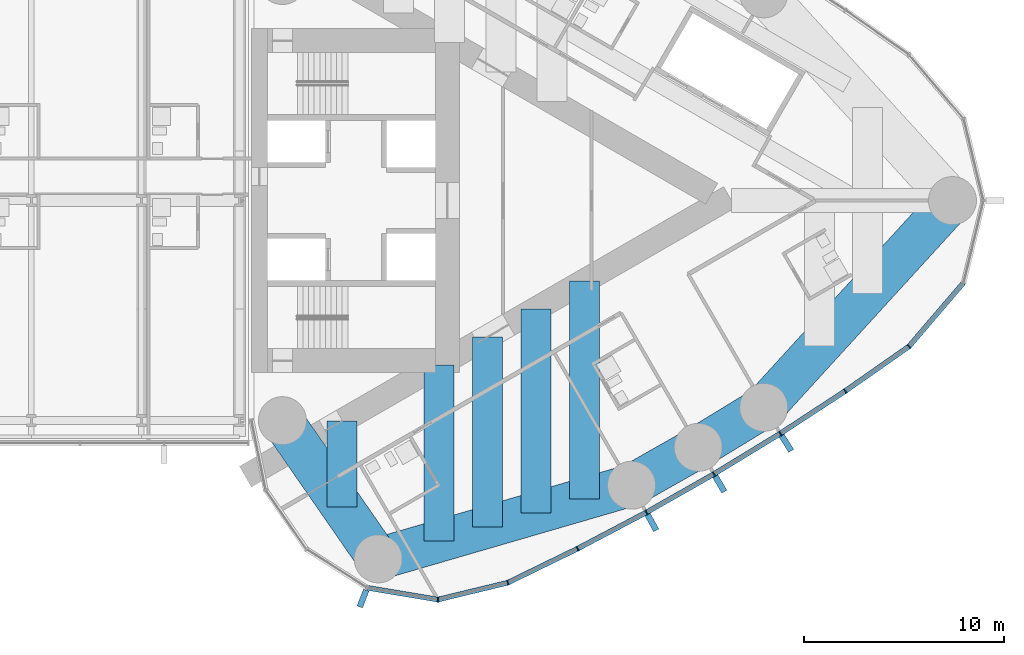
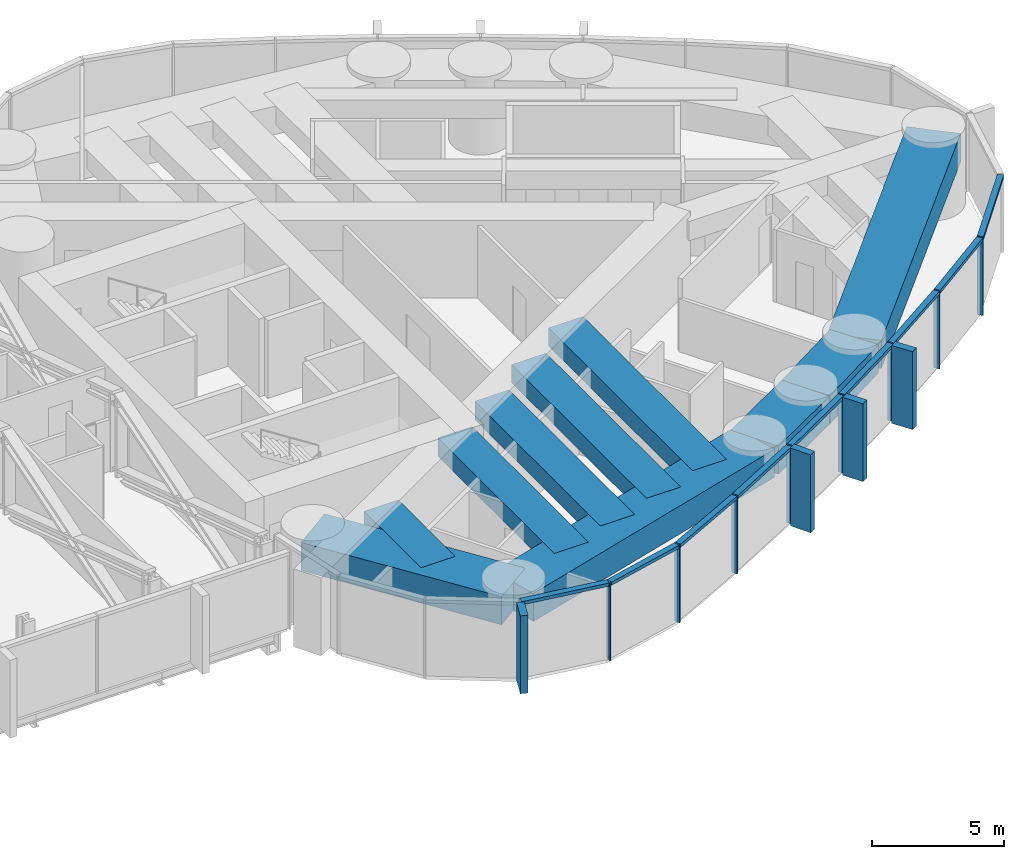
# One storey, part 8 of 22: 21 members, 10 beams, 1 element without a shape of its own.
"""IFC4 building model written with IfcOpenShell, lengths in metres."""

from ifc_helpers import new_model, si_unit, direction, frame, origin, origin_2d, place, context, subcontext, project, spatial, rectangle, extrude, material, material_profile, profile_set, type_object, element, aggregate, save


model = new_model("IFC4")

# Units and contexts
model_context = context("Model", 3, precision=1e-05, world=origin(), true_north=direction((0.0, 1.0)))
body_context = subcontext(model_context, "Body", "Model", "MODEL_VIEW")
ifc_project = project(units=[si_unit("LENGTHUNIT", "METRE"), si_unit("AREAUNIT", "SQUARE_METRE"), si_unit("VOLUMEUNIT", "CUBIC_METRE"), si_unit("PLANEANGLEUNIT", "RADIAN"), si_unit("MASSUNIT", "GRAM", prefix="KILO")], contexts=[model_context])

# Site, building, storey
site_placement = place(None, origin())
site = spatial("IfcSite", under=ifc_project, at=site_placement, CompositionType="ELEMENT")
building_placement = place(site_placement, origin())
building = spatial("IfcBuilding", under=site, at=building_placement, Name="Lancet Gate Hotel", CompositionType="ELEMENT")
storey_placement = place(building_placement, frame((0.0, 0.0, 229.699951171875)))
storey = spatial("IfcBuildingStorey", under=building, at=storey_placement, Name="L61", CompositionType="ELEMENT", Elevation=229.699951171875)

# Curtain wall, members
ifc_material_1 = material(Name="Aluminium curtain wall", Category="aluminium")
curtain_wall_type = type_object("IfcCurtainWallType", Name="Tower unitised curtain wall", PredefinedType="USERDEFINED", material=ifc_material_1)
curtain_wall_placement = place(storey_placement, origin())
curtain_wall = element("IfcCurtainWall", 1, at=curtain_wall_placement, inside=storey, type_object=curtain_wall_type, Name="T2 L61 curtain wall 1", ObjectType="UNITISED CURTAIN WALL", PredefinedType="USERDEFINED")
ifc_material_2 = material(Name="Aluminium mullion", Category="aluminium")
ifc_material_profile_1 = material_profile(ifc_material_2, rectangle(XDim=0.06494140625, YDim=0.25, at=origin_2d()), Name="MULLION 65x250")
ifc_profile_set_1 = profile_set([ifc_material_profile_1], Name="Aluminium mullion")
member_type_1 = type_object("IfcMemberType", Name="Aluminium mullion 65x250", PredefinedType="MULLION", material=ifc_profile_set_1)
member_1_placement = place(storey_placement, frame((36.826171875, -19.942138671875, 0.0), z_axis=(0.0, 0.0, 1.0), x_axis=(0.999342744911, 0.03625021647, 0.0)))
member_1 = element("IfcMember", 2, at=member_1_placement, type_object=member_type_1, Name="T2 L61 curtain wall 1 mullion 5", PredefinedType="MULLION", context=body_context, shape_type="SweptSolid", body=[
    extrude(rectangle(XDim=0.06494140625, YDim=0.25, at=origin_2d()), origin(), (0.0, 0.0, 1.0), 3.60009765625),
])
member_2_placement = place(storey_placement, frame((40.3173828125, -19.098388671875, 0.0), z_axis=(0.0, 0.0, 1.0), x_axis=(0.939483740419, 0.342593493061, 0.0)))
member_2 = element("IfcMember", 3, at=member_2_placement, type_object=member_type_1, Name="T2 L61 curtain wall 1 mullion 6", PredefinedType="MULLION", context=body_context, shape_type="SweptSolid", body=[
    extrude(rectangle(XDim=0.06494140625, YDim=0.25, at=origin_2d()), origin(), (0.0, 0.0, 1.0), 3.60009765625),
])
member_3_placement = place(storey_placement, frame((43.80810546875, -17.396240234375, 0.0), z_axis=(0.0, 0.0, 1.0), x_axis=(0.891832977257, 0.452364831389, 0.0)))
member_3 = element("IfcMember", 4, at=member_3_placement, type_object=member_type_1, Name="T2 L61 curtain wall 1 mullion 7", PredefinedType="MULLION", context=body_context, shape_type="SweptSolid", body=[
    extrude(rectangle(XDim=0.06494140625, YDim=0.25, at=origin_2d()), origin(), (0.0, 0.0, 1.0), 3.60009765625),
])
member_4_placement = place(storey_placement, frame((47.24365234375, -15.585205078125, 0.0), z_axis=(0.0, 0.0, 1.0), x_axis=(0.877194589488, 0.480135035352, 0.0)))
member_4 = element("IfcMember", 5, at=member_4_placement, type_object=member_type_1, Name="T2 L61 curtain wall 1 mullion 8", PredefinedType="MULLION", context=body_context, shape_type="SweptSolid", body=[
    extrude(rectangle(XDim=0.06494140625, YDim=0.25, at=origin_2d()), origin(), (0.0, 0.0, 1.0), 3.60009765625),
])
member_5_placement = place(storey_placement, frame((50.62060546875, -13.667236328125, 0.0), z_axis=(0.0, 0.0, 1.0), x_axis=(0.861691755738, 0.507432082247, 0.0)))
member_5 = element("IfcMember", 6, at=member_5_placement, type_object=member_type_1, Name="T2 L61 curtain wall 1 mullion 9", PredefinedType="MULLION", context=body_context, shape_type="SweptSolid", body=[
    extrude(rectangle(XDim=0.06494140625, YDim=0.25, at=origin_2d()), origin(), (0.0, 0.0, 1.0), 3.60009765625),
])
member_6_placement = place(storey_placement, frame((53.935791015625, -11.644287109375, 0.0), z_axis=(0.0, 0.0, 1.0), x_axis=(0.845339753513, 0.534229071777, 0.0)))
member_6 = element("IfcMember", 7, at=member_6_placement, type_object=member_type_1, Name="T2 L61 curtain wall 1 mullion 10", PredefinedType="MULLION", context=body_context, shape_type="SweptSolid", body=[
    extrude(rectangle(XDim=0.06494140625, YDim=0.25, at=origin_2d()), origin(), (0.0, 0.0, 1.0), 3.60009765625),
])
member_7_placement = place(storey_placement, frame((57.185791015625, -9.518310546875, 0.0), z_axis=(0.0, 0.0, 1.0), x_axis=(0.828154697184, 0.560499596371, 0.0)))
member_7 = element("IfcMember", 8, at=member_7_placement, type_object=member_type_1, Name="T2 L61 curtain wall 1 mullion 11", PredefinedType="MULLION", context=body_context, shape_type="SweptSolid", body=[
    extrude(rectangle(XDim=0.06494140625, YDim=0.25, at=origin_2d()), origin(), (0.0, 0.0, 1.0), 3.60009765625),
])
member_8_placement = place(storey_placement, frame((60.367431640625, -7.291259765625, 0.0), z_axis=(0.0, 0.0, 1.0), x_axis=(0.737323173512, 0.675540182226, 0.0)))
member_8 = element("IfcMember", 9, at=member_8_placement, type_object=member_type_1, Name="T2 L61 curtain wall 1 mullion 12", PredefinedType="MULLION", context=body_context, shape_type="SweptSolid", body=[
    extrude(rectangle(XDim=0.06494140625, YDim=0.25, at=origin_2d()), origin(), (0.0, 0.0, 1.0), 3.60009765625),
])
ifc_material_3 = material(Name="Aluminium transom", Category="aluminium")
ifc_material_profile_2 = material_profile(ifc_material_3, rectangle(XDim=0.25, YDim=0.14990234375, at=origin_2d()), Name="TRANSOM 250x150")
ifc_profile_set_2 = profile_set([ifc_material_profile_2], Name="Aluminium transom")
member_type_2 = type_object("IfcMemberType", Name="Aluminium transom 250x150", PredefinedType="USERDEFINED", material=ifc_profile_set_2)
member_9_placement = place(storey_placement, frame((33.315185546875, -19.35888671875, 3.525146484375), z_axis=(0.986483584545, -0.163860115412, 0.0), x_axis=(0.163860115412, 0.986483584545, 0.0)))
member_9 = element("IfcMember", 10, at=member_9_placement, type_object=member_type_2, Name="T2 L61 curtain wall 1 transom 4", ObjectType="TRANSOM", PredefinedType="USERDEFINED", context=body_context, shape_type="SweptSolid", body=[
    extrude(rectangle(XDim=0.25, YDim=0.14990234375, at=origin_2d()), origin(), (0.0, 0.0, 1.0), 3.526611328125),
])
member_10_placement = place(storey_placement, frame((36.85791015625, -19.9345703125, 3.525146484375), z_axis=(0.972002653858, 0.234969872307, 0.0), x_axis=(-0.234969872307, 0.972002653858, 0.0)))
member_10 = element("IfcMember", 11, at=member_10_placement, type_object=member_type_2, Name="T2 L61 curtain wall 1 transom 5", ObjectType="TRANSOM", PredefinedType="USERDEFINED", context=body_context, shape_type="SweptSolid", body=[
    extrude(rectangle(XDim=0.25, YDim=0.14990234375, at=origin_2d()), origin(), (0.0, 0.0, 1.0), 3.5263671875),
])
member_11_placement = place(storey_placement, frame((40.346435546875, -19.084228515625, 3.525146484375), z_axis=(0.898820051991, 0.438317823206, 0.0), x_axis=(-0.438317823206, 0.898820051991, 0.0)))
member_11 = element("IfcMember", 12, at=member_11_placement, type_object=member_type_2, Name="T2 L61 curtain wall 1 transom 6", ObjectType="TRANSOM", PredefinedType="USERDEFINED", context=body_context, shape_type="SweptSolid", body=[
    extrude(rectangle(XDim=0.25, YDim=0.14990234375, at=origin_2d()), origin(), (0.0, 0.0, 1.0), 3.81884765625),
])
member_12_placement = place(storey_placement, frame((43.836669921875, -17.381103515625, 3.525146484375), z_axis=(0.884618491031, 0.466315478325, 0.0), x_axis=(-0.466315478325, 0.884618491031, 0.0)))
member_12 = element("IfcMember", 13, at=member_12_placement, type_object=member_type_2, Name="T2 L61 curtain wall 1 transom 7", ObjectType="TRANSOM", PredefinedType="USERDEFINED", context=body_context, shape_type="SweptSolid", body=[
    extrude(rectangle(XDim=0.25, YDim=0.14990234375, at=origin_2d()), origin(), (0.0, 0.0, 1.0), 3.81884765625),
])
member_13_placement = place(storey_placement, frame((47.271728515625, -15.569091796875, 3.525146484375), z_axis=(0.869562011924, 0.493823761496, 0.0), x_axis=(-0.493823761496, 0.869562011924, 0.0)))
member_13 = element("IfcMember", 14, at=member_13_placement, type_object=member_type_2, Name="T2 L61 curtain wall 1 transom 8", ObjectType="TRANSOM", PredefinedType="USERDEFINED", context=body_context, shape_type="SweptSolid", body=[
    extrude(rectangle(XDim=0.25, YDim=0.14990234375, at=origin_2d()), origin(), (0.0, 0.0, 1.0), 3.818603515625),
])
member_14_placement = place(storey_placement, frame((50.648193359375, -13.650390625, 3.525146484375), z_axis=(0.853638798527, 0.520865435261, 0.0), x_axis=(-0.520865435261, 0.853638798527, 0.0)))
member_14 = element("IfcMember", 15, at=member_14_placement, type_object=member_type_2, Name="T2 L61 curtain wall 1 transom 9", ObjectType="TRANSOM", PredefinedType="USERDEFINED", context=body_context, shape_type="SweptSolid", body=[
    extrude(rectangle(XDim=0.25, YDim=0.14990234375, at=origin_2d()), origin(), (0.0, 0.0, 1.0), 3.818603515625),
])
member_15_placement = place(storey_placement, frame((53.962890625, -11.62646484375, 3.525146484375), z_axis=(0.836858089593, 0.547419891749, 0.0), x_axis=(-0.547419891749, 0.836858089593, 0.0)))
member_15 = element("IfcMember", 16, at=member_15_placement, type_object=member_type_2, Name="T2 L61 curtain wall 1 transom 10", ObjectType="TRANSOM", PredefinedType="USERDEFINED", context=body_context, shape_type="SweptSolid", body=[
    extrude(rectangle(XDim=0.25, YDim=0.14990234375, at=origin_2d()), origin(), (0.0, 0.0, 1.0), 3.818603515625),
])
member_16_placement = place(storey_placement, frame((57.21240234375, -9.499755859375, 3.525146484375), z_axis=(0.819255948852, 0.573428016642, 0.0), x_axis=(-0.573428016642, 0.819255948852, 0.0)))
member_16 = element("IfcMember", 17, at=member_16_placement, type_object=member_type_2, Name="T2 L61 curtain wall 1 transom 11", ObjectType="TRANSOM", PredefinedType="USERDEFINED", context=body_context, shape_type="SweptSolid", body=[
    extrude(rectangle(XDim=0.25, YDim=0.14990234375, at=origin_2d()), origin(), (0.0, 0.0, 1.0), 3.818603515625),
])
member_17_placement = place(storey_placement, frame((60.388427734375, -7.2666015625, 3.525146484375), z_axis=(0.650592500186, 0.759427019997, 0.0), x_axis=(-0.759427019997, 0.650592500186, 0.0)))
member_17 = element("IfcMember", 18, at=member_17_placement, type_object=member_type_2, Name="T2 L61 curtain wall 1 transom 12", ObjectType="TRANSOM", PredefinedType="USERDEFINED", context=body_context, shape_type="SweptSolid", body=[
    extrude(rectangle(XDim=0.25, YDim=0.14990234375, at=origin_2d()), origin(), (0.0, 0.0, 1.0), 4.1455078125),
])

# Beams
ifc_material_4 = material(Name="Concrete C50/60", Category="concrete")
ifc_material_profile_3 = material_profile(ifc_material_4, rectangle(XDim=2.10009765625, YDim=1.300048828125, at=origin_2d()), Name="RC 2100x1300")
ifc_profile_set_3 = profile_set([ifc_material_profile_3], Name="Concrete C50/60")
beam_type_1 = type_object("IfcBeamType", Name="Edge beam RC 2100x1300", PredefinedType="SPANDREL", material=ifc_profile_set_3)
beam_1_placement = place(storey_placement, frame((33.837158203125, -17.906005859375, 2.699951171875), z_axis=(0.960258384252, 0.279112585659, 0.0), x_axis=(-0.279112585659, 0.960258384252, 0.0)))
element("IfcBeam", 19, at=beam_1_placement, inside=storey, type_object=beam_type_1, Name="T2 edge beam EB1 L61", PredefinedType="SPANDREL", context=body_context, shape_type="SweptSolid", body=[
    extrude(rectangle(XDim=2.10009765625, YDim=1.300048828125, at=origin_2d()), origin(), (0.0, 0.0, 1.0), 13.18603515625),
])
beam_2_placement = place(storey_placement, frame((46.499267578125, -14.2255859375, 2.699951171875), z_axis=(0.869560321562, 0.493826738001, 0.0), x_axis=(-0.493826738001, 0.869560321562, 0.0)))
element("IfcBeam", 20, at=beam_2_placement, inside=storey, type_object=beam_type_1, Name="T2 edge beam EB1 L61", PredefinedType="SPANDREL", context=body_context, shape_type="SweptSolid", body=[
    extrude(rectangle(XDim=2.10009765625, YDim=1.300048828125, at=origin_2d()), origin(), (0.0, 0.0, 1.0), 3.8349609375),
])
beam_3_placement = place(storey_placement, frame((49.833984375, -12.331787109375, 2.699951171875), z_axis=(0.853604257265, 0.520922040212, 0.0), x_axis=(-0.520922040212, 0.853604257265, 0.0)))
element("IfcBeam", 21, at=beam_3_placement, inside=storey, type_object=beam_type_1, Name="T2 edge beam EB1 L61", PredefinedType="SPANDREL", context=body_context, shape_type="SweptSolid", body=[
    extrude(rectangle(XDim=2.10009765625, YDim=1.300048828125, at=origin_2d()), origin(), (0.0, 0.0, 1.0), 3.835205078125),
])
beam_4_placement = place(storey_placement, frame((53.107666015625, -10.333984375, 2.699951171875), z_axis=(0.674209372947, 0.738540263919, 0.0), x_axis=(-0.738540263919, 0.674209372947, 0.0)))
element("IfcBeam", 22, at=beam_4_placement, inside=storey, type_object=beam_type_1, Name="T2 edge beam EB1 L61", PredefinedType="SPANDREL", context=body_context, shape_type="SweptSolid", body=[
    extrude(rectangle(XDim=2.10009765625, YDim=1.300048828125, at=origin_2d()), origin(), (0.0, 0.0, 1.0), 13.992431640625),
])
beam_5_placement = place(storey_placement, frame((33.837158203125, -17.906005859375, 2.699951171875), z_axis=(-0.569694852599, 0.821856298219, 0.0), x_axis=(-0.821856298219, -0.569694852599, 0.0)))
element("IfcBeam", 23, at=beam_5_placement, inside=storey, type_object=beam_type_1, Name="T2 edge beam EB1 L61", PredefinedType="SPANDREL", context=body_context, shape_type="SweptSolid", body=[
    extrude(rectangle(XDim=2.10009765625, YDim=1.300048828125, at=origin_2d()), origin(), (0.0, 0.0, 1.0), 8.40283203125),
])

# Member
ifc_material_5 = material(Name="Precast concrete C50/60", Category="concrete")
ifc_material_profile_4 = material_profile(ifc_material_5, rectangle(XDim=0.300048828125, YDim=0.89990234375, at=origin_2d()), Name="FIN 300x900")
ifc_profile_set_4 = profile_set([ifc_material_profile_4], Name="Precast concrete C50/60")
member_type_3 = type_object("IfcMemberType", Name="Exposed concrete fin 300x900", PredefinedType="USERDEFINED", material=ifc_profile_set_4)
member_18_placement = place(storey_placement, frame((33.07763671875, -19.890625, 0.0), z_axis=(0.0, 0.0, 1.0), x_axis=(0.93394321776, -0.357421412343, 0.0)))
member_18 = element("IfcMember", 24, at=member_18_placement, type_object=member_type_3, Name="T2 L61 curtain wall 1 fin 4", ObjectType="FIN", PredefinedType="USERDEFINED", context=body_context, shape_type="SweptSolid", body=[
    extrude(rectangle(XDim=0.300048828125, YDim=0.89990234375, at=origin_2d()), origin(), (0.0, 0.0, 1.0), 3.60009765625),
])

member_19_placement = place(storey_placement, frame((47.51953125, -16.089599609375, 0.0), z_axis=(0.0, 0.0, 1.0), x_axis=(0.877194589488, 0.480135035352, 0.0)))
member_19 = element("IfcMember", 25, at=member_19_placement, type_object=member_type_3, Name="T2 L61 curtain wall 1 fin 8", ObjectType="FIN", PredefinedType="USERDEFINED", context=body_context, shape_type="SweptSolid", body=[
    extrude(rectangle(XDim=0.300048828125, YDim=0.89990234375, at=origin_2d()), origin(), (0.0, 0.0, 1.0), 3.60009765625),
])

member_20_placement = place(storey_placement, frame((50.912353515625, -14.162841796875, 0.0), z_axis=(0.0, 0.0, 1.0), x_axis=(0.861691755738, 0.507432082247, 0.0)))
member_20 = element("IfcMember", 26, at=member_20_placement, type_object=member_type_3, Name="T2 L61 curtain wall 1 fin 9", ObjectType="FIN", PredefinedType="USERDEFINED", context=body_context, shape_type="SweptSolid", body=[
    extrude(rectangle(XDim=0.300048828125, YDim=0.89990234375, at=origin_2d()), origin(), (0.0, 0.0, 1.0), 3.60009765625),
])

member_21_placement = place(storey_placement, frame((54.242919921875, -12.13037109375, 0.0), z_axis=(0.0, 0.0, 1.0), x_axis=(0.845339753513, 0.534229071777, 0.0)))
member_21 = element("IfcMember", 27, at=member_21_placement, type_object=member_type_3, Name="T2 L61 curtain wall 1 fin 10", ObjectType="FIN", PredefinedType="USERDEFINED", context=body_context, shape_type="SweptSolid", body=[
    extrude(rectangle(XDim=0.300048828125, YDim=0.89990234375, at=origin_2d()), origin(), (0.0, 0.0, 1.0), 3.60009765625),
])

aggregate(curtain_wall, [member_18, member_1, member_2, member_3, member_4, member_19, member_5, member_20, member_6, member_21, member_7, member_8, member_9, member_10, member_11, member_12, member_13, member_14, member_15, member_16, member_17])

# Beams
ifc_material_6 = material(Name="Concrete C50/60", Category="concrete")
ifc_material_profile_5 = material_profile(ifc_material_6, rectangle(XDim=1.5, YDim=0.85009765625, at=origin_2d()), Name="RC 1500x850")
ifc_profile_set_5 = profile_set([ifc_material_profile_5], Name="Concrete C50/60")
beam_type_2 = type_object("IfcBeamType", Name="Floor beam RC 1500x850", PredefinedType="BEAM", material=ifc_profile_set_5)
beam_6_placement = place(storey_placement, frame((32.04052734375, -15.31396484375, 2.925048828125), z_axis=(0.0, 1.0, 0.0), x_axis=(-1.0, 0.0, 0.0)))
element("IfcBeam", 28, at=beam_6_placement, inside=storey, type_object=beam_type_2, Name="T2 floor beam F01S L61", PredefinedType="BEAM", context=body_context, shape_type="SweptSolid", body=[
    extrude(rectangle(XDim=1.5, YDim=0.85009765625, at=origin_2d()), origin(), (0.0, 0.0, 1.0), 4.30859375),
])
beam_7_placement = place(storey_placement, frame((36.880859375, -17.021240234375, 2.925048828125), z_axis=(0.0, 1.0, 0.0), x_axis=(-1.0, 0.0, 0.0)))
element("IfcBeam", 29, at=beam_7_placement, inside=storey, type_object=beam_type_2, Name="T2 floor beam F03S L61", PredefinedType="BEAM", context=body_context, shape_type="SweptSolid", body=[
    extrude(rectangle(XDim=1.5, YDim=0.85009765625, at=origin_2d()), origin(), (0.0, 0.0, 1.0), 8.810546875),
])
beam_8_placement = place(storey_placement, frame((39.301025390625, -16.31787109375, 2.925048828125), z_axis=(0.0, 1.0, 0.0), x_axis=(-1.0, 0.0, 0.0)))
element("IfcBeam", 30, at=beam_8_placement, inside=storey, type_object=beam_type_2, Name="T2 floor beam F05S L61", PredefinedType="BEAM", context=body_context, shape_type="SweptSolid", body=[
    extrude(rectangle(XDim=1.5, YDim=0.85009765625, at=origin_2d()), origin(), (0.0, 0.0, 1.0), 9.50439453125),
])
beam_9_placement = place(storey_placement, frame((41.721435546875, -15.6142578125, 2.925048828125), z_axis=(0.0, 1.0, 0.0), x_axis=(-1.0, 0.0, 0.0)))
element("IfcBeam", 31, at=beam_9_placement, inside=storey, type_object=beam_type_2, Name="T2 floor beam F07S L61", PredefinedType="BEAM", context=body_context, shape_type="SweptSolid", body=[
    extrude(rectangle(XDim=1.5, YDim=0.85009765625, at=origin_2d()), origin(), (0.0, 0.0, 1.0), 10.1982421875),
])
beam_10_placement = place(storey_placement, frame((44.1416015625, -14.910888671875, 2.925048828125), z_axis=(0.0, 1.0, 0.0), x_axis=(-1.0, 0.0, 0.0)))
element("IfcBeam", 32, at=beam_10_placement, inside=storey, type_object=beam_type_2, Name="T2 floor beam F09S L61", PredefinedType="BEAM", context=body_context, shape_type="SweptSolid", body=[
    extrude(rectangle(XDim=1.5, YDim=0.85009765625, at=origin_2d()), origin(), (0.0, 0.0, 1.0), 10.89208984375),
])

save(model, "model.ifc")
